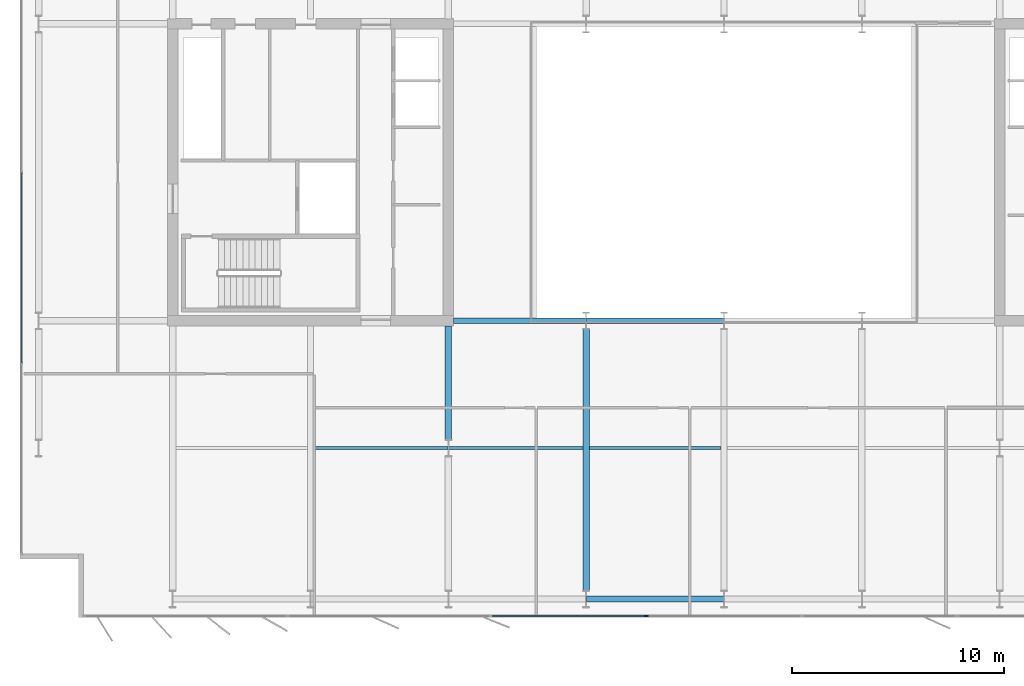
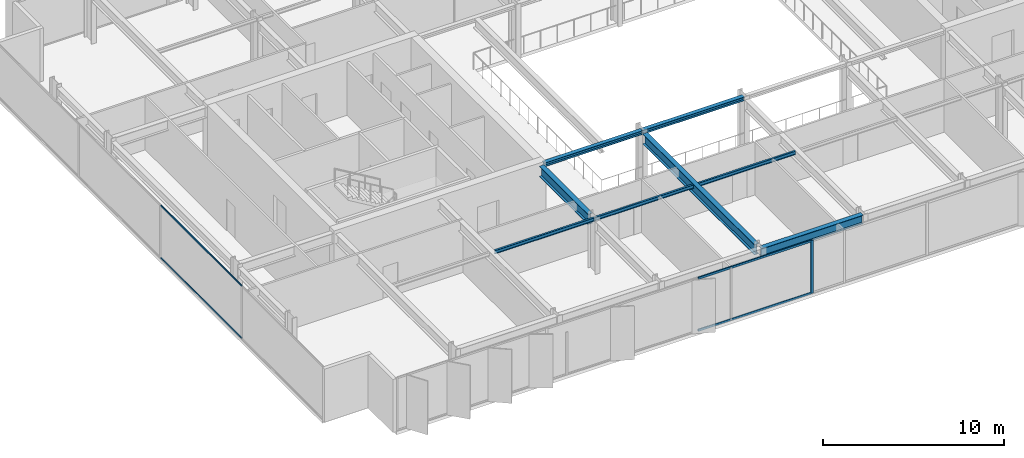
# One storey, part 4 of 23: 8 beams, 5 members, 2 elements without a shape of their own.
"""IFC4 building model written with IfcOpenShell, lengths in metres."""

from ifc_helpers import new_model, si_unit, direction, frame, origin, origin_2d, place, context, subcontext, project, spatial, rectangle, i_section, extrude, material, layer, layer_set, material_profile, profile_set, type_object, element, aggregate, save


model = new_model("IFC4")

# Units and contexts
model_context = context("Model", 3, precision=1e-05, world=origin(), true_north=direction((0.0, 1.0)))
body_context = subcontext(model_context, "Body", "Model", "MODEL_VIEW")
ifc_project = project(units=[si_unit("LENGTHUNIT", "METRE"), si_unit("AREAUNIT", "SQUARE_METRE"), si_unit("VOLUMEUNIT", "CUBIC_METRE"), si_unit("PLANEANGLEUNIT", "RADIAN"), si_unit("MASSUNIT", "GRAM", prefix="KILO")], contexts=[model_context])

# Site, building, storey
site_placement = place(None, origin())
site = spatial("IfcSite", under=ifc_project, at=site_placement, CompositionType="ELEMENT")
building_placement = place(site_placement, origin())
building = spatial("IfcBuilding", under=site, at=building_placement, Name="Putna Gate Headquarters", CompositionType="ELEMENT")
storey_placement = place(building_placement, frame((0.0, 0.0, 206.199951171875)))
storey = spatial("IfcBuildingStorey", under=building, at=storey_placement, Name="L51", CompositionType="ELEMENT", Elevation=206.199951171875)

# Beams
ifc_material_1 = material(Name="Steel S355J2", Category="steel")
ifc_material_profile_1 = material_profile(ifc_material_1, i_section(OverallWidth=0.260009765625, OverallDepth=0.260009765625, WebThickness=0.010009765625, FlangeThickness=0.017578125, at=origin_2d()), Name="Steel S355J2")
ifc_profile_set_1 = profile_set([ifc_material_profile_1], Name="Steel S355J2")
beam_type_1 = type_object("IfcBeamType", Name="BM-ATRIUM-HEB260", PredefinedType="BEAM", material=ifc_profile_set_1)
beam_1_placement = place(storey_placement, frame((26.235107421875, 19.0, 3.449951171875), z_axis=(1.0, 0.0, 0.0), x_axis=(0.0, 1.0, 0.0)))
element("IfcBeam", 1, at=beam_1_placement, inside=storey, type_object=beam_type_1, Name="L51 Atrium Edge Beam AS1", PredefinedType="BEAM", context=body_context, shape_type="SweptSolid", body=[
    extrude(i_section(OverallWidth=0.260009765625, OverallDepth=0.260009765625, WebThickness=0.010009765625, FlangeThickness=0.017578125, at=origin_2d()), origin(), (0.0, 0.0, 1.0), 6.2587890625),
])
beam_2_placement = place(storey_placement, frame((32.506103515625, 19.0, 3.449951171875), z_axis=(1.0, 0.0, 0.0), x_axis=(0.0, 1.0, 0.0)))
element("IfcBeam", 2, at=beam_2_placement, inside=storey, type_object=beam_type_1, Name="L51 Atrium Edge Beam AS2", PredefinedType="BEAM", context=body_context, shape_type="SweptSolid", body=[
    extrude(i_section(OverallWidth=0.260009765625, OverallDepth=0.260009765625, WebThickness=0.010009765625, FlangeThickness=0.017578125, at=origin_2d()), origin(), (0.0, 0.0, 1.0), 6.48779296875),
])
ifc_material_profile_2 = material_profile(ifc_material_1, i_section(OverallWidth=0.300048828125, OverallDepth=0.699951171875, WebThickness=0.01708984375, FlangeThickness=0.031982421875, at=origin_2d()), Name="Steel S355J2")
ifc_profile_set_2 = profile_set([ifc_material_profile_2], Name="Steel S355J2")
beam_type_2 = type_object("IfcBeamType", Name="BM-GIRD-B-HEB700", PredefinedType="USERDEFINED", material=ifc_profile_set_2)
beam_3_placement = place(storey_placement, frame((26.0, 13.39501953125, 3.22998046875), z_axis=(0.0, 1.0, 0.0), x_axis=(-1.0, 0.0, 0.0)))
element("IfcBeam", 3, at=beam_3_placement, inside=storey, type_object=beam_type_2, Name="L51 South Primary Girder X26-2", ObjectType="GIRDER", PredefinedType="USERDEFINED", context=body_context, shape_type="SweptSolid", body=[
    extrude(i_section(OverallWidth=0.300048828125, OverallDepth=0.699951171875, WebThickness=0.01708984375, FlangeThickness=0.031982421875, at=origin_2d()), origin(), (0.0, 0.0, 1.0), 5.369873046875),
])
beam_4_placement = place(storey_placement, frame((32.5, 6.27490234375, 3.22998046875), z_axis=(0.0, 1.0, 0.0), x_axis=(-1.0, 0.0, 0.0)))
element("IfcBeam", 4, at=beam_4_placement, inside=storey, type_object=beam_type_2, Name="L51 South Primary Girder X32", ObjectType="GIRDER", PredefinedType="USERDEFINED", context=body_context, shape_type="SweptSolid", body=[
    extrude(i_section(OverallWidth=0.300048828125, OverallDepth=0.699951171875, WebThickness=0.01708984375, FlangeThickness=0.031982421875, at=origin_2d()), origin(), (0.0, 0.0, 1.0), 12.330078125),
])
ifc_material_profile_3 = material_profile(ifc_material_1, i_section(OverallWidth=0.1201171875, OverallDepth=0.239990234375, WebThickness=0.006103515625, FlangeThickness=0.009765625, at=origin_2d()), Name="Steel S355J2")
ifc_profile_set_3 = profile_set([ifc_material_profile_3], Name="Steel S355J2")
beam_type_3 = type_object("IfcBeamType", Name="BM-SEC-Z4-IPE240", PredefinedType="JOIST", material=ifc_profile_set_3)
for number, where, z_axis, x_axis, name in (
    (5, (19.654052734375, 13.0, 3.4599609375), (1.0, 0.0, 0.0), (0.0, 1.0, 0.0), "L51 South Secondary Beam 2"),
    (6, (26.006103515625, 13.0, 3.4599609375), (1.0, 0.0, 0.0), (0.0, 1.0, 0.0), "L51 South Secondary Beam 3"),
):
    element("IfcBeam", number, at=place(storey_placement, frame(where, z_axis=z_axis, x_axis=x_axis)), inside=storey, type_object=beam_type_3, Name=name, PredefinedType="JOIST", context=body_context, shape_type="SweptSolid", body=[
        extrude(i_section(OverallWidth=0.1201171875, OverallDepth=0.239990234375, WebThickness=0.006103515625, FlangeThickness=0.009765625, at=origin_2d()), origin(), (0.0, 0.0, 1.0), 6.33984375),
    ])
beam_5_placement = place(storey_placement, frame((32.654052734375, 13.0, 3.4599609375), z_axis=(1.0, 0.0, 0.0), x_axis=(0.0, 1.0, 0.0)))
element("IfcBeam", 7, at=beam_5_placement, inside=storey, type_object=beam_type_3, Name="L51 South Secondary Beam 4", PredefinedType="JOIST", context=body_context, shape_type="SweptSolid", body=[
    extrude(i_section(OverallWidth=0.1201171875, OverallDepth=0.239990234375, WebThickness=0.006103515625, FlangeThickness=0.009765625, at=origin_2d()), origin(), (0.0, 0.0, 1.0), 6.19189453125),
])
ifc_material_profile_4 = material_profile(ifc_material_1, i_section(OverallWidth=0.300048828125, OverallDepth=0.590087890625, WebThickness=0.012939453125, FlangeThickness=0.02490234375, at=origin_2d()), Name="Steel S355J2")
ifc_profile_set_4 = profile_set([ifc_material_profile_4], Name="Steel S355J2")
beam_type_4 = type_object("IfcBeamType", Name="BM-SPAN-Z4-HEA600", PredefinedType="SPANDREL", material=ifc_profile_set_4)
beam_6_placement = place(storey_placement, frame((32.506103515625, 5.8798828125, 3.28515625), z_axis=(1.0, 0.0, 0.0), x_axis=(0.0, 1.0, 0.0)))
element("IfcBeam", 8, at=beam_6_placement, inside=storey, type_object=beam_type_4, Name="L51 S Perimeter Spandrel 4", PredefinedType="SPANDREL", context=body_context, shape_type="SweptSolid", body=[
    extrude(i_section(OverallWidth=0.300048828125, OverallDepth=0.590087890625, WebThickness=0.012939453125, FlangeThickness=0.02490234375, at=origin_2d()), origin(), (0.0, 0.0, 1.0), 6.48779296875),
])

# Curtain wall, member
ifc_material_2 = material(Name="Anodised bronze aluminium curtain wall", Category="aluminium")
ifc_layer_1 = layer(ifc_material_2, 0.179931640625)
ifc_layer_set_1 = layer_set([ifc_layer_1], Name="Anodised bronze aluminium curtain wall")
curtain_wall_type_1 = type_object("IfcCurtainWallType", Name="CW-SYS-ATR", PredefinedType="USERDEFINED", material=ifc_layer_set_1)
curtain_wall_1_placement = place(storey_placement, origin())
curtain_wall_1 = element("IfcCurtainWall", 9, at=curtain_wall_1_placement, inside=storey, type_object=curtain_wall_type_1, Name="L51 South Atrium Clear Glazing", ObjectType="ATRIUM GLAZING", PredefinedType="USERDEFINED")
ifc_material_3 = material(Name="Anodised bronze aluminium EN AW-6060", Category="aluminium")
ifc_material_profile_5 = material_profile(ifc_material_3, rectangle(XDim=0.070068359375, YDim=0.179931640625, at=origin_2d()), Name="Anodised bronze aluminium EN AW-6060")
ifc_profile_set_5 = profile_set([ifc_material_profile_5], Name="Anodised bronze aluminium EN AW-6060")
member_type_1 = type_object("IfcMemberType", Name="MULL-CWM-AT", PredefinedType="MULLION", material=ifc_profile_set_5)
member_1_placement = place(storey_placement, frame((35.333251953125, 5.080078125, 0.0), z_axis=(0.0, 0.0, 1.0), x_axis=(0.0, 1.0, 0.0)))
member_1 = element("IfcMember", 10, at=member_1_placement, type_object=member_type_1, Name="CWS-AT mullion 2", PredefinedType="MULLION", context=body_context, shape_type="SweptSolid", body=[
    extrude(rectangle(XDim=0.070068359375, YDim=0.179931640625, at=origin_2d()), origin(), (0.0, 0.0, 1.0), 3.580078125),
])

# Curtain wall, members
ifc_layer_2 = layer(ifc_material_2, 0.139892578125)
ifc_layer_set_2 = layer_set([ifc_layer_2], Name="Anodised bronze aluminium curtain wall")
curtain_wall_type_2 = type_object("IfcCurtainWallType", Name="CW-SYS-Z4", PredefinedType="USERDEFINED", material=ifc_layer_set_2)
curtain_wall_2_placement = place(storey_placement, origin())
curtain_wall_2 = element("IfcCurtainWall", 11, at=curtain_wall_2_placement, inside=storey, type_object=curtain_wall_type_2, Name="L51 West Curtain Wall", ObjectType="STICK CURTAIN WALL", PredefinedType="USERDEFINED")
ifc_material_profile_6 = material_profile(ifc_material_3, rectangle(XDim=0.06005859375, YDim=0.10009765625, at=origin_2d()), Name="Anodised bronze aluminium EN AW-6060")
ifc_profile_set_6 = profile_set([ifc_material_profile_6], Name="Anodised bronze aluminium EN AW-6060")
member_type_2 = type_object("IfcMemberType", Name="TRAN-CWT-4", PredefinedType="USERDEFINED", material=ifc_profile_set_6)
member_2_placement = place(storey_placement, frame((5.8798828125, 17.030029296875, 0.030029296875), z_axis=(0.0, 1.0, 0.0), x_axis=(-1.0, 0.0, 0.0)))
member_2 = element("IfcMember", 12, at=member_2_placement, type_object=member_type_2, Name="CWS-4 transom 2.1", ObjectType="TRANSOM", PredefinedType="USERDEFINED", context=body_context, shape_type="SweptSolid", body=[
    extrude(rectangle(XDim=0.06005859375, YDim=0.10009765625, at=origin_2d()), origin(), (0.0, 0.0, 1.0), 8.93994140625),
])
member_3_placement = place(storey_placement, frame((5.8798828125, 17.030029296875, 3.550048828125), z_axis=(0.0, 1.0, 0.0), x_axis=(-1.0, 0.0, 0.0)))
member_3 = element("IfcMember", 13, at=member_3_placement, type_object=member_type_2, Name="CWS-4 transom 2.2", ObjectType="TRANSOM", PredefinedType="USERDEFINED", context=body_context, shape_type="SweptSolid", body=[
    extrude(rectangle(XDim=0.06005859375, YDim=0.10009765625, at=origin_2d()), origin(), (0.0, 0.0, 1.0), 8.93994140625),
])
aggregate(curtain_wall_2, [member_2, member_3])

# Member
ifc_material_profile_7 = material_profile(ifc_material_3, rectangle(XDim=0.070068359375, YDim=0.139892578125, at=origin_2d()), Name="Anodised bronze aluminium EN AW-6060")
ifc_profile_set_7 = profile_set([ifc_material_profile_7], Name="Anodised bronze aluminium EN AW-6060")
member_type_3 = type_object("IfcMemberType", Name="TRAN-CWT-AT", PredefinedType="USERDEFINED", material=ifc_profile_set_7)
member_4_placement = place(storey_placement, frame((28.070068359375, 5.080078125, 0.03515625), z_axis=(1.0, 0.0, 0.0), x_axis=(0.0, 1.0, 0.0)))
member_4 = element("IfcMember", 14, at=member_4_placement, type_object=member_type_3, Name="CWS-AT transom 1.1", ObjectType="TRANSOM", PredefinedType="USERDEFINED", context=body_context, shape_type="SweptSolid", body=[
    extrude(rectangle(XDim=0.070068359375, YDim=0.139892578125, at=origin_2d()), origin(), (0.0, 0.0, 1.0), 7.228271484375),
])

member_5_placement = place(storey_placement, frame((28.070068359375, 5.080078125, 3.545166015625), z_axis=(1.0, 0.0, 0.0), x_axis=(0.0, 1.0, 0.0)))
member_5 = element("IfcMember", 15, at=member_5_placement, type_object=member_type_3, Name="CWS-AT transom 1.2", ObjectType="TRANSOM", PredefinedType="USERDEFINED", context=body_context, shape_type="SweptSolid", body=[
    extrude(rectangle(XDim=0.070068359375, YDim=0.139892578125, at=origin_2d()), origin(), (0.0, 0.0, 1.0), 7.228271484375),
])

aggregate(curtain_wall_1, [member_1, member_4, member_5])

save(model, "model.ifc")
